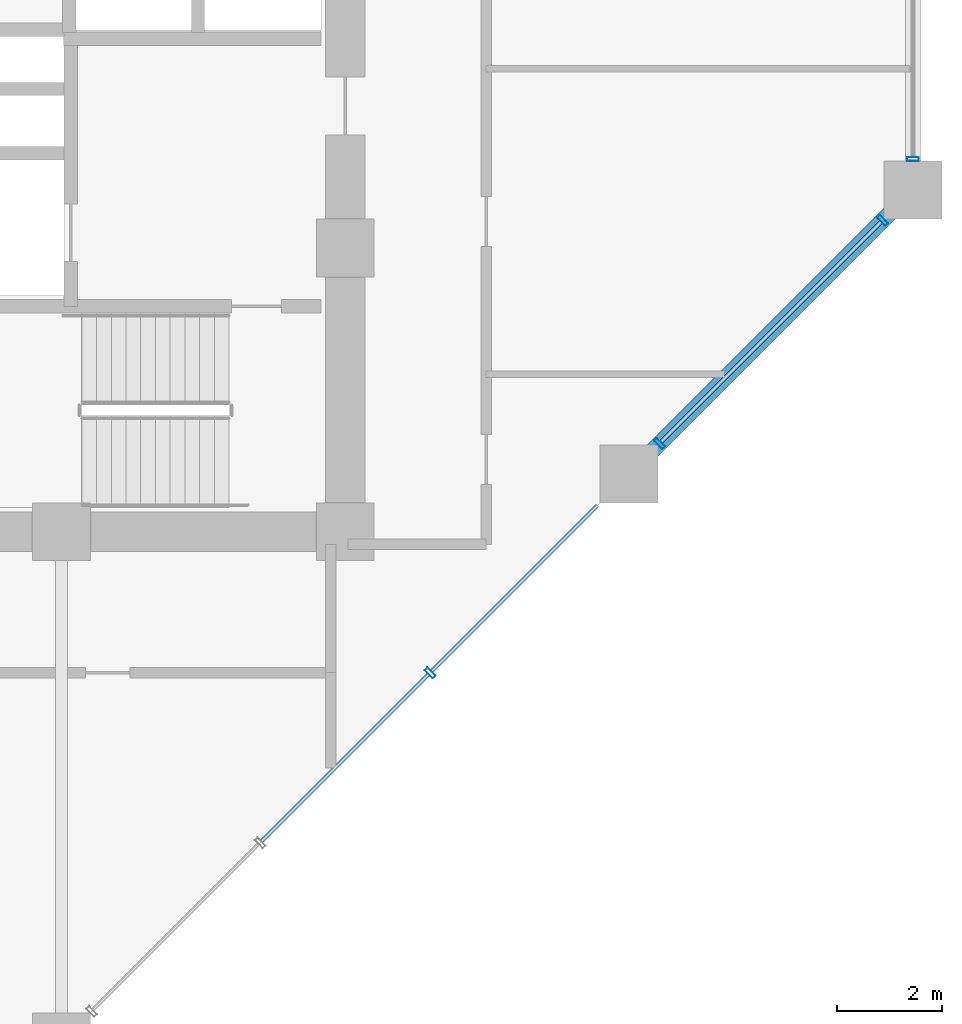
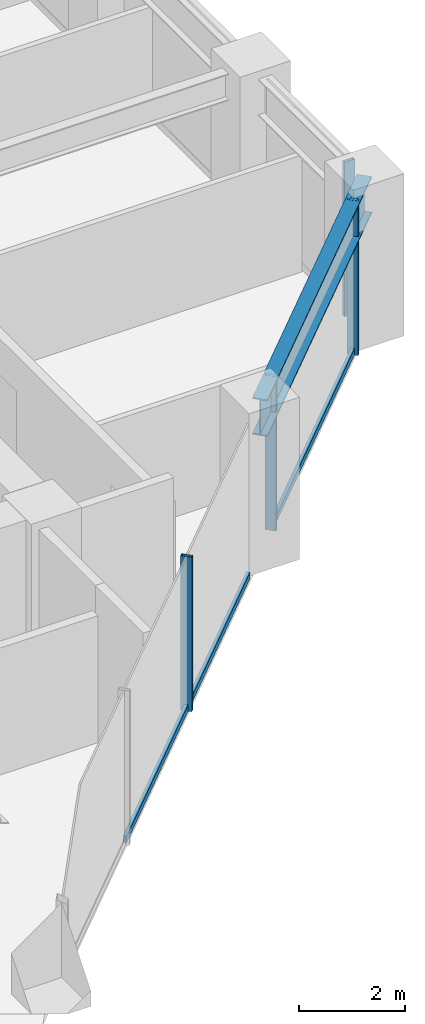
# One storey, part 8 of 25: 7 members, 1 beam, 2 elements without a shape of their own.
"""IFC4 building model written with IfcOpenShell, lengths in metres."""

from ifc_helpers import new_model, si_unit, direction, frame, origin, origin_2d, place, context, subcontext, project, spatial, hollow_rectangle, i_section, extrude, material, layer, layer_set, material_profile, profile_set, type_object, element, aggregate, save


model = new_model("IFC4")

# Units and contexts
model_context = context("Model", 3, precision=1e-05, world=origin(), true_north=direction((0.0, 1.0)))
body_context = subcontext(model_context, "Body", "Model", "MODEL_VIEW")
ifc_project = project(units=[si_unit("LENGTHUNIT", "METRE"), si_unit("AREAUNIT", "SQUARE_METRE"), si_unit("VOLUMEUNIT", "CUBIC_METRE"), si_unit("PLANEANGLEUNIT", "RADIAN"), si_unit("MASSUNIT", "GRAM", prefix="KILO")], contexts=[model_context])

# Site, building, storey
site_placement = place(None, origin())
site = spatial("IfcSite", under=ifc_project, at=site_placement, CompositionType="ELEMENT")
building_placement = place(site_placement, origin())
building = spatial("IfcBuilding", under=site, at=building_placement, Name="Surkhivell Harbour Commons", CompositionType="ELEMENT")
storey_placement = place(building_placement, frame((0.0, 0.0, 120.75)))
storey = spatial("IfcBuildingStorey", under=building, at=storey_placement, Name="L31", CompositionType="ELEMENT", Elevation=120.75)

# Beam
ifc_material_1 = material(Name="Steel S460", Category="steel")
ifc_material_profile_1 = material_profile(ifc_material_1, i_section(OverallWidth=0.2939453125, OverallDepth=0.85107421875, WebThickness=0.01611328125, FlangeThickness=0.02685546875, at=origin_2d()), Name="UB838x292x226")
ifc_profile_set_1 = profile_set([ifc_material_profile_1], Name="Steel S460")
beam_type = type_object("IfcBeamType", Name="BM-SPN-838", PredefinedType="SPANDREL", material=ifc_profile_set_1)
beam_placement = place(storey_placement, frame((16.199951171875, -9.699951171875, 3.14453125), z_axis=(0.707122765516, 0.707090796496, 0.0), x_axis=(-0.707090796496, 0.707122765516, 0.0)))
element("IfcBeam", 1, at=beam_placement, inside=storey, type_object=beam_type, Name="L31 Tube Spandrel (16.2,-9.7)", PredefinedType="SPANDREL", context=body_context, shape_type="SweptSolid", body=[
    extrude(i_section(OverallWidth=0.2939453125, OverallDepth=0.85107421875, WebThickness=0.01611328125, FlangeThickness=0.02685546875, at=origin_2d()), origin(), (0.0, 0.0, 1.0), 7.63671875),
])

# Curtain wall, members
ifc_material_2 = material(Name="Anodised pale-metal aluminium and insulated glazing", Category="aluminium")
ifc_layer = layer(ifc_material_2, 0.205078125)
ifc_layer_set = layer_set([ifc_layer], Name="Anodised pale-metal aluminium and insulated glazing")
curtain_wall_type = type_object("IfcCurtainWallType", Name="CW-SYS-Z2", PredefinedType="NOTDEFINED", material=ifc_layer_set)
curtain_wall_1_placement = place(storey_placement, origin())
curtain_wall_1 = element("IfcCurtainWall", 2, at=curtain_wall_1_placement, inside=storey, type_object=curtain_wall_type, Name="L31 Curtain Wall CW-L31-E01", PredefinedType="NOTDEFINED")
ifc_material_3 = material(Name="Anodised pale-metal aluminium alloy 6063-T6", Category="aluminium")
ifc_material_profile_2 = material_profile(ifc_material_3, hollow_rectangle(XDim=0.074951171875, YDim=0.219970703125, WallThickness=0.00390625, at=origin_2d()), Name="ALU-MULL-75x220")
ifc_profile_set_2 = profile_set([ifc_material_profile_2], Name="Anodised pale-metal aluminium alloy 6063-T6")
member_type_1 = type_object("IfcMemberType", Name="CWM-220", PredefinedType="MULLION", material=ifc_profile_set_2)
member_1_placement = place(storey_placement, frame((12.416015625, -13.48388671875, 0.0), z_axis=(0.0, 0.0, 1.0), x_axis=(0.707106781187, 0.707106781187, 0.0)))
member_1 = element("IfcMember", 3, at=member_1_placement, type_object=member_type_1, Name="CW-Z2 mullion 4", PredefinedType="MULLION", context=body_context, shape_type="SweptSolid", body=[
    extrude(hollow_rectangle(XDim=0.074951171875, YDim=0.219970703125, WallThickness=0.00390625, at=origin_2d()), origin(), (0.0, 0.0, 1.0), 3.570068359375),
])
member_2_placement = place(storey_placement, frame((16.7783203125, -9.121826171875, 0.0), z_axis=(0.0, 0.0, 1.0), x_axis=(0.707106781187, 0.707106781187, 0.0)))
member_2 = element("IfcMember", 4, at=member_2_placement, type_object=member_type_1, Name="CW-Z2 mullion 5", PredefinedType="MULLION", context=body_context, shape_type="SweptSolid", body=[
    extrude(hollow_rectangle(XDim=0.074951171875, YDim=0.219970703125, WallThickness=0.00390625, at=origin_2d()), origin(), (0.0, 0.0, 1.0), 3.570068359375),
])
member_3_placement = place(storey_placement, frame((21.021728515625, -4.878173828125, 0.0), z_axis=(0.0, 0.0, 1.0), x_axis=(0.707106781187, 0.707106781187, 0.0)))
member_3 = element("IfcMember", 5, at=member_3_placement, type_object=member_type_1, Name="CW-Z2 mullion 6", PredefinedType="MULLION", context=body_context, shape_type="SweptSolid", body=[
    extrude(hollow_rectangle(XDim=0.074951171875, YDim=0.219970703125, WallThickness=0.00390625, at=origin_2d()), origin(), (0.0, 0.0, 1.0), 3.570068359375),
])

# Curtain wall, member
curtain_wall_2_placement = place(storey_placement, origin())
curtain_wall_2 = element("IfcCurtainWall", 6, at=curtain_wall_2_placement, inside=storey, type_object=curtain_wall_type, Name="L31 Curtain Wall CW-L31-E02", PredefinedType="NOTDEFINED")
member_4_placement = place(storey_placement, frame((21.60009765625, -3.71044921875, 0.0), z_axis=(0.0, 0.0, 1.0), x_axis=(0.0, 1.0, 0.0)))
member_4 = element("IfcMember", 7, at=member_4_placement, type_object=member_type_1, Name="CW-Z2 mullion 1", PredefinedType="MULLION", context=body_context, shape_type="SweptSolid", body=[
    extrude(hollow_rectangle(XDim=0.074951171875, YDim=0.219970703125, WallThickness=0.00390625, at=origin_2d()), origin(), (0.0, 0.0, 1.0), 3.570068359375),
])
aggregate(curtain_wall_2, [member_4])

# Member
ifc_material_profile_3 = material_profile(ifc_material_3, hollow_rectangle(XDim=0.074951171875, YDim=0.14990234375, WallThickness=0.00341796875, at=origin_2d()), Name="ALU-TRAN-75x150")
ifc_profile_set_3 = profile_set([ifc_material_profile_3], Name="Anodised pale-metal aluminium alloy 6063-T6")
member_type_2 = type_object("IfcMemberType", Name="CWT-150", PredefinedType="USERDEFINED", material=ifc_profile_set_3)
member_5_placement = place(storey_placement, frame((9.21044921875, -16.689697265625, 0.074951171875), z_axis=(0.707106781187, 0.707106781187, 0.0), x_axis=(-0.707106781187, 0.707106781187, 0.0)))
member_5 = element("IfcMember", 8, at=member_5_placement, type_object=member_type_2, Name="CW-Z2 transom 3.1", ObjectType="TRANSOM", PredefinedType="USERDEFINED", context=body_context, shape_type="SweptSolid", body=[
    extrude(hollow_rectangle(XDim=0.074951171875, YDim=0.14990234375, WallThickness=0.00341796875, at=origin_2d()), origin(), (0.0, 0.0, 1.0), 4.49609375),
])

member_6_placement = place(storey_placement, frame((12.442626953125, -13.457275390625, 0.074951171875), z_axis=(0.707106781187, 0.707106781187, 0.0), x_axis=(-0.707106781187, 0.707106781187, 0.0)))
member_6 = element("IfcMember", 9, at=member_6_placement, type_object=member_type_2, Name="CW-Z2 transom 4.1", ObjectType="TRANSOM", PredefinedType="USERDEFINED", context=body_context, shape_type="SweptSolid", body=[
    extrude(hollow_rectangle(XDim=0.074951171875, YDim=0.14990234375, WallThickness=0.00341796875, at=origin_2d()), origin(), (0.0, 0.0, 1.0), 4.45849609375),
])

member_7_placement = place(storey_placement, frame((16.8046875, -9.09521484375, 0.074951171875), z_axis=(0.707127378829, 0.707086182944, 0.0), x_axis=(-0.707086182944, 0.707127378829, 0.0)))
member_7 = element("IfcMember", 10, at=member_7_placement, type_object=member_type_2, Name="CW-Z2 transom 5.1", ObjectType="TRANSOM", PredefinedType="USERDEFINED", context=body_context, shape_type="SweptSolid", body=[
    extrude(hollow_rectangle(XDim=0.074951171875, YDim=0.14990234375, WallThickness=0.00341796875, at=origin_2d()), origin(), (0.0, 0.0, 1.0), 5.92626953125),
])

aggregate(curtain_wall_1, [member_1, member_5, member_6, member_2, member_3, member_7])

save(model, "model.ifc")
